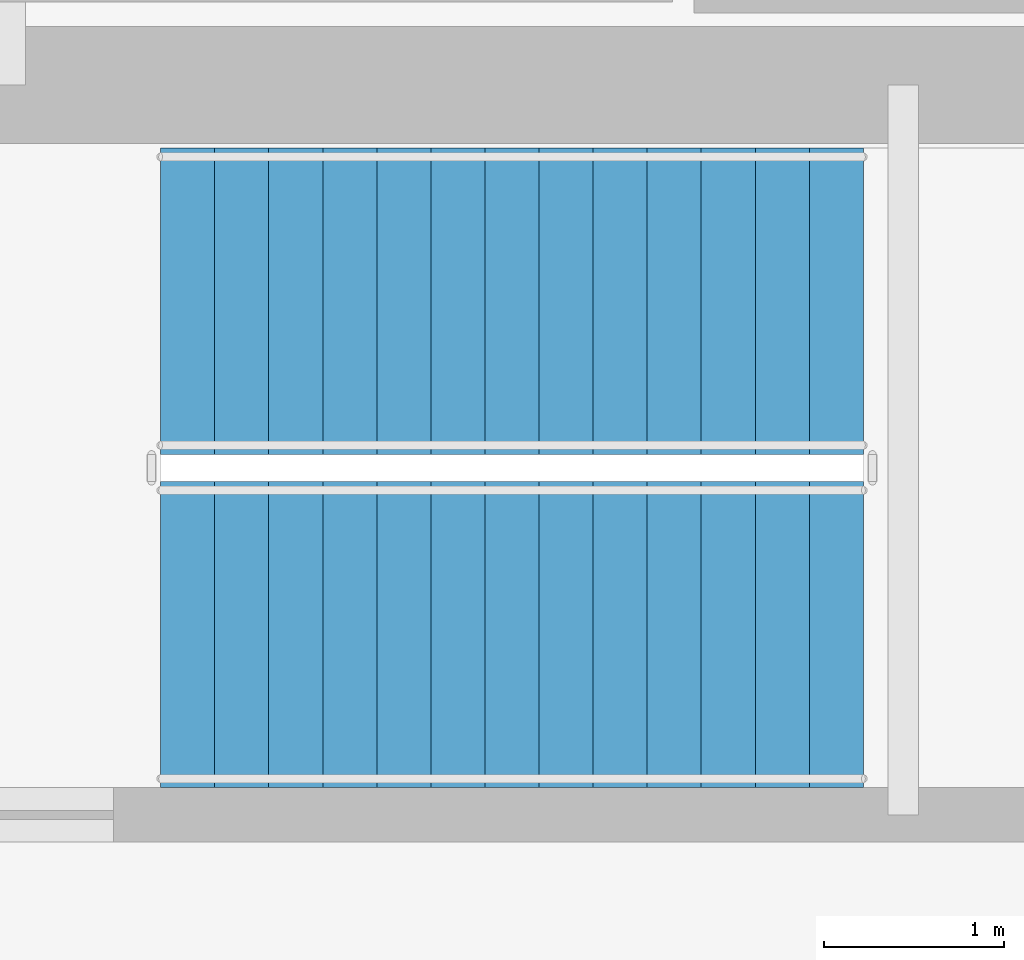
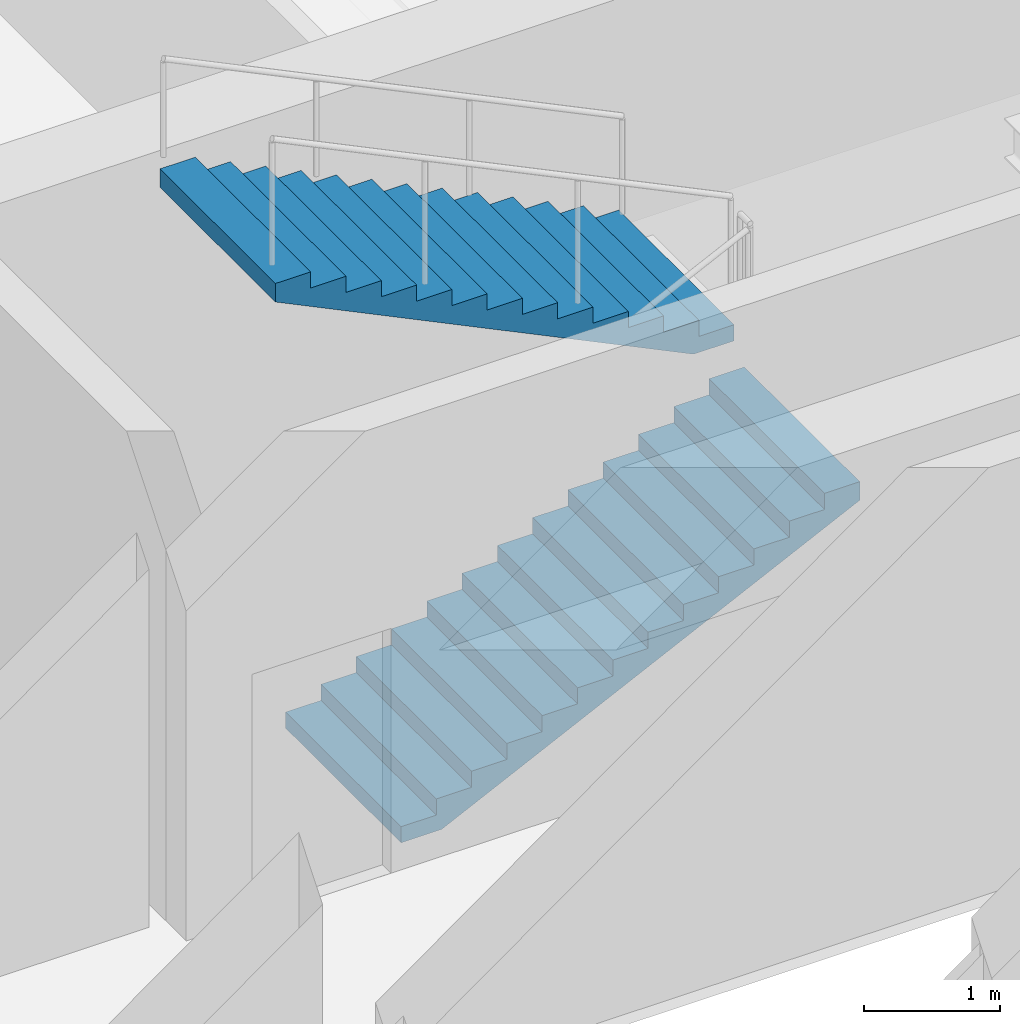
# One storey, part 31 of 35: 2 stair flights, 1 element without a shape of its own.
"""IFC4 building model written with IfcOpenShell, lengths in metres."""

from ifc_helpers import new_model, si_unit, direction, frame, origin, place, context, subcontext, project, spatial, polyline, outline, extrude, material, type_object, element, aggregate, save


model = new_model("IFC4")

# Units and contexts
model_context = context("Model", 3, precision=1e-05, world=origin(), true_north=direction((0.0, 1.0)))
body_context = subcontext(model_context, "Body", "Model", "MODEL_VIEW")
ifc_project = project(units=[si_unit("LENGTHUNIT", "METRE"), si_unit("AREAUNIT", "SQUARE_METRE"), si_unit("VOLUMEUNIT", "CUBIC_METRE"), si_unit("PLANEANGLEUNIT", "RADIAN"), si_unit("MASSUNIT", "GRAM", prefix="KILO")], contexts=[model_context])

# Site, building, storey
site_placement = place(None, origin())
site = spatial("IfcSite", under=ifc_project, at=site_placement, CompositionType="ELEMENT")
building_placement = place(site_placement, origin())
building = spatial("IfcBuilding", under=site, at=building_placement, Name="Punatoya Terracotta Tower", CompositionType="ELEMENT")
storey_placement = place(building_placement, frame((0.0, 0.0, 216.75)))
storey = spatial("IfcBuildingStorey", under=building, at=storey_placement, Name="L51", CompositionType="ELEMENT", Elevation=216.75)

# Stair, stair flights
ifc_material = material(Name="Concrete C40/50", Category="concrete")
stair_type = type_object("IfcStairType", Name="STR-TER-1450", PredefinedType="HALF_TURN_STAIR", material=ifc_material)
stair_placement = place(storey_placement, origin())
stair = element("IfcStair", 1, at=stair_placement, inside=storey, type_object=stair_type, Name="L51 Protected Core Exit Stair ST-3", PredefinedType="HALF_TURN_STAIR")
stair_flight_type = type_object("IfcStairFlightType", Name="SFL-TER-1450", PredefinedType="STRAIGHT", material=ifc_material)
stair_flight_1_placement = place(storey_placement, frame((-2.89990234375, 6.14990234375, 0.0), z_axis=(0.0, 0.0, 1.0), x_axis=(1.0, 0.0, 0.0)))
stair_flight_1 = element("IfcStairFlight", 2, at=stair_flight_1_placement, type_object=stair_flight_type, Name="ST-3 flight 1", NumberOfRisers=14, NumberOfTreads=13, PredefinedType="STRAIGHT", RiserHeight=0.144642857, TreadLength=0.3, context=body_context, shape_type="SweptSolid", body=[
    extrude(outline(polyline([(0.0, 0.0), (0.0, 0.14453125), (0.300048828125, 0.14453125), (0.300048828125, 0.289306640625), (0.60009765625, 0.289306640625), (0.60009765625, 0.433837890625), (0.89990234375, 0.433837890625), (0.89990234375, 0.57861328125), (1.199951171875, 0.57861328125), (1.199951171875, 0.72314453125), (1.5, 0.72314453125), (1.5, 0.867919921875), (1.800048828125, 0.867919921875), (1.800048828125, 1.012451171875), (2.10009765625, 1.012451171875), (2.10009765625, 1.1572265625), (2.39990234375, 1.1572265625), (2.39990234375, 1.3017578125), (2.699951171875, 1.3017578125), (2.699951171875, 1.446533203125), (3.0, 1.446533203125), (3.0, 1.591064453125), (3.300048828125, 1.591064453125), (3.300048828125, 1.735595703125), (3.60009765625, 1.735595703125), (3.60009765625, 1.88037109375), (3.89990234375, 1.88037109375), (3.89990234375, 2.02490234375), (3.89990234375, 1.7138671875), (0.34521484375, 0.0), (0.0, 0.0)])), frame((0.0, 0.85009765625, 0.0), z_axis=(0.0, -1.0, 0.0), x_axis=(1.0, 0.0, 0.0)), (0.0, 0.0, 1.0), 1.699951171875),
])
stair_flight_2_placement = place(storey_placement, frame((1.0, 8.0, 2.02490234375), z_axis=(0.0, 0.0, 1.0), x_axis=(-1.0, 0.0, 0.0)))
stair_flight_2 = element("IfcStairFlight", 3, at=stair_flight_2_placement, type_object=stair_flight_type, Name="ST-3 flight 2", NumberOfRisers=14, NumberOfTreads=13, PredefinedType="STRAIGHT", RiserHeight=0.144642857, TreadLength=0.3, context=body_context, shape_type="SweptSolid", body=[
    extrude(outline(polyline([(0.0, 0.0), (0.0, 0.14453125), (0.300048828125, 0.14453125), (0.300048828125, 0.289306640625), (0.60009765625, 0.289306640625), (0.60009765625, 0.433837890625), (0.89990234375, 0.433837890625), (0.89990234375, 0.57861328125), (1.199951171875, 0.57861328125), (1.199951171875, 0.72314453125), (1.5, 0.72314453125), (1.5, 0.867919921875), (1.800048828125, 0.867919921875), (1.800048828125, 1.012451171875), (2.10009765625, 1.012451171875), (2.10009765625, 1.1572265625), (2.39990234375, 1.1572265625), (2.39990234375, 1.3017578125), (2.699951171875, 1.3017578125), (2.699951171875, 1.446533203125), (3.0, 1.446533203125), (3.0, 1.591064453125), (3.300048828125, 1.591064453125), (3.300048828125, 1.735595703125), (3.60009765625, 1.735595703125), (3.60009765625, 1.88037109375), (3.89990234375, 1.88037109375), (3.89990234375, 2.02490234375), (3.89990234375, 1.7138671875), (0.34521484375, 0.0), (0.0, 0.0)])), frame((0.0, 0.85009765625, 0.0), z_axis=(0.0, -1.0, 0.0), x_axis=(1.0, 0.0, 0.0)), (0.0, 0.0, 1.0), 1.699951171875),
])
aggregate(stair, [stair_flight_1, stair_flight_2])

save(model, "model.ifc")
